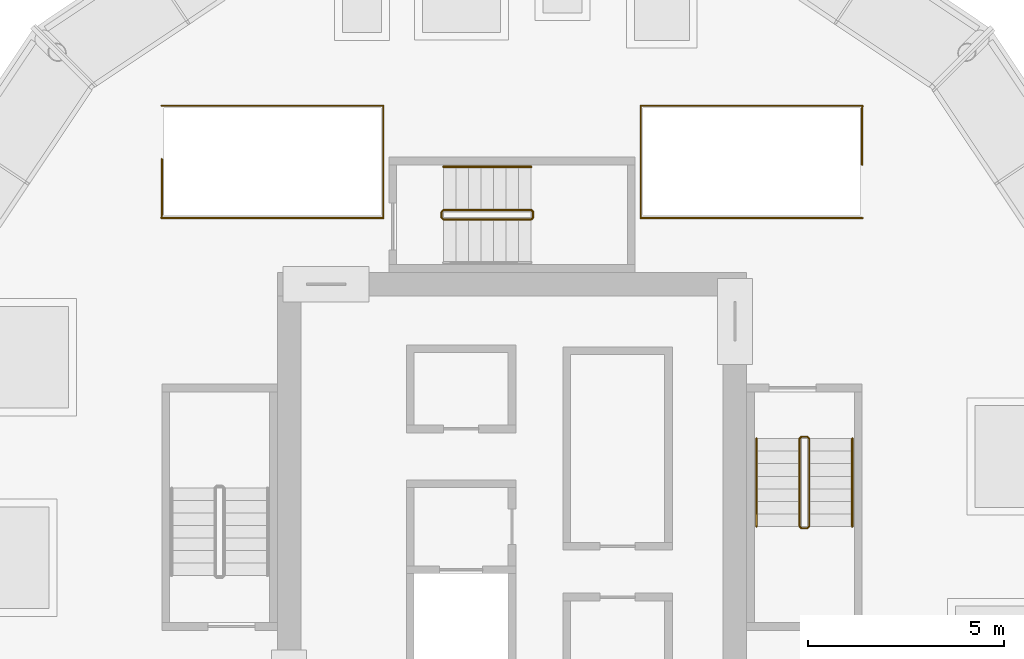
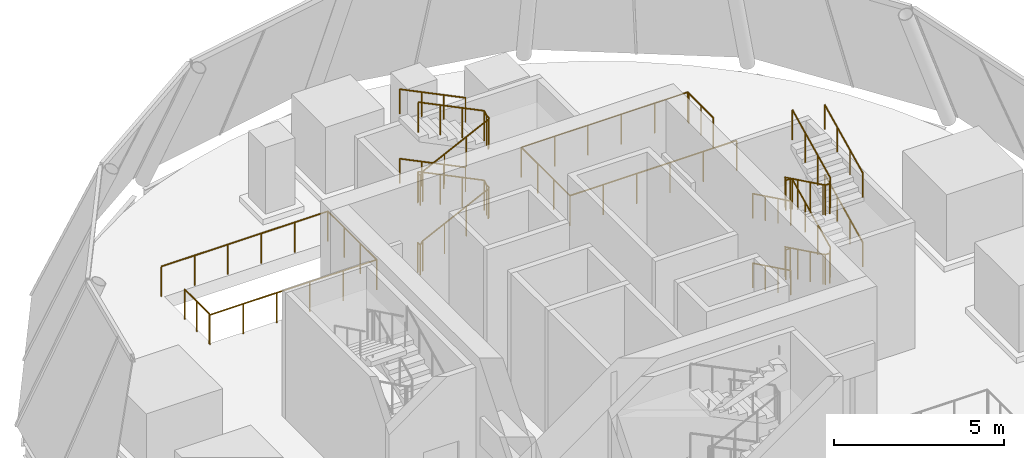
# One storey, part 7 of 8: 10 railings.
"""IFC4 building model written with IfcOpenShell, lengths in metres."""

from ifc_helpers import new_model, si_unit, direction, frame, origin, origin_2d, place, context, subcontext, project, spatial, circle, extrude, material, type_object, element, save


model = new_model("IFC4")

# Units and contexts
model_context = context("Model", 3, precision=1e-05, world=origin(), true_north=direction((0.0, 1.0)))
body_context = subcontext(model_context, "Body", "Model", "MODEL_VIEW")
ifc_project = project(units=[si_unit("LENGTHUNIT", "METRE"), si_unit("AREAUNIT", "SQUARE_METRE"), si_unit("VOLUMEUNIT", "CUBIC_METRE"), si_unit("PLANEANGLEUNIT", "RADIAN"), si_unit("MASSUNIT", "GRAM", prefix="KILO")], contexts=[model_context])

# Site, building, storey
site_placement = place(None, origin())
site = spatial("IfcSite", under=ifc_project, at=site_placement, CompositionType="ELEMENT")
building_placement = place(site_placement, origin())
building = spatial("IfcBuilding", under=site, at=building_placement, Name="Corvane Civic Tower", CompositionType="ELEMENT")
storey_placement = place(building_placement, frame((0.0, 0.0, 392.5)))
storey = spatial("IfcBuildingStorey", under=building, at=storey_placement, Name="L93", CompositionType="ELEMENT", Elevation=392.5)

# Railings
ifc_material_1 = material(Name="Steel ASTM A572 Gr 50", Category="steel")
railing_type_1 = type_object("IfcRailingType", Name="ST-GUARD-1100", PredefinedType="GUARDRAIL", material=ifc_material_1)
railing_1_placement = place(storey_placement, frame((8.949951171875, 8.75, 0.0)))
element("IfcRailing", 1, at=railing_1_placement, inside=storey, type_object=railing_type_1, Name="L93 ST1 top well guard 1", PredefinedType="GUARDRAIL", context=body_context, shape_type="SweptSolid", body=[
    extrude(circle(Radius=0.02392578125, at=origin_2d()), frame((0.0, 0.0, 1.076171875), z_axis=(0.0, 1.0, 0.0), x_axis=(-1.0, 0.0, 0.0)), (0.0, 0.0, 1.0), 1.449951171875),
    extrude(circle(Radius=0.02392578125, at=origin_2d()), frame((0.0, 1.449951171875, 1.076171875), z_axis=(0.164398987305, 0.986393923832, 0.0), x_axis=(-0.986393923832, 0.164398987305, 0.0)), (0.0, 0.0, 1.0), 0.060791015625),
    extrude(circle(Radius=0.02392578125, at=origin_2d()), frame((0.010009765625, 1.510009765625, 1.076171875), z_axis=(-1.0, 0.0, 0.0), x_axis=(0.0, -1.0, 0.0)), (0.0, 0.0, 1.0), 5.669921875),
    extrude(circle(Radius=0.02392578125, at=origin_2d()), frame((-5.659912109375, 1.510009765625, 1.076171875), z_axis=(0.0, -1.0, 0.0), x_axis=(1.0, 0.0, 0.0)), (0.0, 0.0, 1.0), 2.8701171875),
    extrude(circle(Radius=0.02392578125, at=origin_2d()), frame((-5.659912109375, -1.360107421875, 1.076171875), z_axis=(1.0, 0.0, 0.0), x_axis=(0.0, 1.0, 0.0)), (0.0, 0.0, 1.0), 5.669921875),
    extrude(circle(Radius=0.02099609375, at=origin_2d()), origin(), (0.0, 0.0, 1.0), 1.052001953125),
    extrude(circle(Radius=0.02099609375, at=origin_2d()), frame((0.0, 0.72509765625, 0.0)), (0.0, 0.0, 1.0), 1.052001953125),
    extrude(circle(Radius=0.02099609375, at=origin_2d()), frame((0.0, 1.449951171875, 0.0)), (0.0, 0.0, 1.0), 1.052001953125),
    extrude(circle(Radius=0.02099609375, at=origin_2d()), frame((0.010009765625, 1.510009765625, 0.0)), (0.0, 0.0, 1.0), 1.052001953125),
    extrude(circle(Radius=0.02099609375, at=origin_2d()), frame((-1.1240234375, 1.510009765625, 0.0)), (0.0, 0.0, 1.0), 1.052001953125),
    extrude(circle(Radius=0.02099609375, at=origin_2d()), frame((-2.258056640625, 1.510009765625, 0.0)), (0.0, 0.0, 1.0), 1.052001953125),
    extrude(circle(Radius=0.02099609375, at=origin_2d()), frame((-3.391845703125, 1.510009765625, 0.0)), (0.0, 0.0, 1.0), 1.052001953125),
    extrude(circle(Radius=0.02099609375, at=origin_2d()), frame((-4.52587890625, 1.510009765625, 0.0)), (0.0, 0.0, 1.0), 1.052001953125),
    extrude(circle(Radius=0.02099609375, at=origin_2d()), frame((-5.659912109375, 1.510009765625, 0.0)), (0.0, 0.0, 1.0), 1.052001953125),
    extrude(circle(Radius=0.02099609375, at=origin_2d()), frame((-5.659912109375, 0.55322265625, 0.0)), (0.0, 0.0, 1.0), 1.052001953125),
    extrude(circle(Radius=0.02099609375, at=origin_2d()), frame((-5.659912109375, -0.4033203125, 0.0)), (0.0, 0.0, 1.0), 1.052001953125),
    extrude(circle(Radius=0.02099609375, at=origin_2d()), frame((-5.659912109375, -1.360107421875, 0.0)), (0.0, 0.0, 1.0), 1.052001953125),
    extrude(circle(Radius=0.02099609375, at=origin_2d()), frame((-4.52587890625, -1.360107421875, 0.0)), (0.0, 0.0, 1.0), 1.052001953125),
    extrude(circle(Radius=0.02099609375, at=origin_2d()), frame((-3.391845703125, -1.360107421875, 0.0)), (0.0, 0.0, 1.0), 1.052001953125),
    extrude(circle(Radius=0.02099609375, at=origin_2d()), frame((-2.258056640625, -1.360107421875, 0.0)), (0.0, 0.0, 1.0), 1.052001953125),
    extrude(circle(Radius=0.02099609375, at=origin_2d()), frame((-1.1240234375, -1.360107421875, 0.0)), (0.0, 0.0, 1.0), 1.052001953125),
    extrude(circle(Radius=0.02099609375, at=origin_2d()), frame((0.010009765625, -1.360107421875, 0.0)), (0.0, 0.0, 1.0), 1.052001953125),
])
railing_2_placement = place(storey_placement, frame((-8.949951171875, 8.89990234375, 0.0)))
element("IfcRailing", 2, at=railing_2_placement, inside=storey, type_object=railing_type_1, Name="L93 ST4 top well guard 1", PredefinedType="GUARDRAIL", context=body_context, shape_type="SweptSolid", body=[
    extrude(circle(Radius=0.02392578125, at=origin_2d()), frame((0.0, 0.0, 1.076171875), z_axis=(0.0, -1.0, 0.0), x_axis=(1.0, 0.0, 0.0)), (0.0, 0.0, 1.0), 1.449951171875),
    extrude(circle(Radius=0.02392578125, at=origin_2d()), frame((0.0, -1.449951171875, 1.076171875), z_axis=(-0.164398987305, -0.986393923832, 0.0), x_axis=(0.986393923832, -0.164398987305, 0.0)), (0.0, 0.0, 1.0), 0.060791015625),
    extrude(circle(Radius=0.02392578125, at=origin_2d()), frame((-0.010009765625, -1.510009765625, 1.076171875), z_axis=(1.0, 0.0, 0.0), x_axis=(0.0, 1.0, 0.0)), (0.0, 0.0, 1.0), 5.669921875),
    extrude(circle(Radius=0.02392578125, at=origin_2d()), frame((5.659912109375, -1.510009765625, 1.076171875), z_axis=(0.0, 1.0, 0.0), x_axis=(-1.0, 0.0, 0.0)), (0.0, 0.0, 1.0), 2.8701171875),
    extrude(circle(Radius=0.02392578125, at=origin_2d()), frame((5.659912109375, 1.360107421875, 1.076171875), z_axis=(-1.0, 0.0, 0.0), x_axis=(0.0, -1.0, 0.0)), (0.0, 0.0, 1.0), 5.669921875),
    extrude(circle(Radius=0.02099609375, at=origin_2d()), origin(), (0.0, 0.0, 1.0), 1.052001953125),
    extrude(circle(Radius=0.02099609375, at=origin_2d()), frame((0.0, -0.72509765625, 0.0)), (0.0, 0.0, 1.0), 1.052001953125),
    extrude(circle(Radius=0.02099609375, at=origin_2d()), frame((0.0, -1.449951171875, 0.0)), (0.0, 0.0, 1.0), 1.052001953125),
    extrude(circle(Radius=0.02099609375, at=origin_2d()), frame((-0.010009765625, -1.510009765625, 0.0)), (0.0, 0.0, 1.0), 1.052001953125),
    extrude(circle(Radius=0.02099609375, at=origin_2d()), frame((1.1240234375, -1.510009765625, 0.0)), (0.0, 0.0, 1.0), 1.052001953125),
    extrude(circle(Radius=0.02099609375, at=origin_2d()), frame((2.258056640625, -1.510009765625, 0.0)), (0.0, 0.0, 1.0), 1.052001953125),
    extrude(circle(Radius=0.02099609375, at=origin_2d()), frame((3.391845703125, -1.510009765625, 0.0)), (0.0, 0.0, 1.0), 1.052001953125),
    extrude(circle(Radius=0.02099609375, at=origin_2d()), frame((4.52587890625, -1.510009765625, 0.0)), (0.0, 0.0, 1.0), 1.052001953125),
    extrude(circle(Radius=0.02099609375, at=origin_2d()), frame((5.659912109375, -1.510009765625, 0.0)), (0.0, 0.0, 1.0), 1.052001953125),
    extrude(circle(Radius=0.02099609375, at=origin_2d()), frame((5.659912109375, -0.55322265625, 0.0)), (0.0, 0.0, 1.0), 1.052001953125),
    extrude(circle(Radius=0.02099609375, at=origin_2d()), frame((5.659912109375, 0.4033203125, 0.0)), (0.0, 0.0, 1.0), 1.052001953125),
    extrude(circle(Radius=0.02099609375, at=origin_2d()), frame((5.659912109375, 1.360107421875, 0.0)), (0.0, 0.0, 1.0), 1.052001953125),
    extrude(circle(Radius=0.02099609375, at=origin_2d()), frame((4.52587890625, 1.360107421875, 0.0)), (0.0, 0.0, 1.0), 1.052001953125),
    extrude(circle(Radius=0.02099609375, at=origin_2d()), frame((3.391845703125, 1.360107421875, 0.0)), (0.0, 0.0, 1.0), 1.052001953125),
    extrude(circle(Radius=0.02099609375, at=origin_2d()), frame((2.258056640625, 1.360107421875, 0.0)), (0.0, 0.0, 1.0), 1.052001953125),
    extrude(circle(Radius=0.02099609375, at=origin_2d()), frame((1.1240234375, 1.360107421875, 0.0)), (0.0, 0.0, 1.0), 1.052001953125),
    extrude(circle(Radius=0.02099609375, at=origin_2d()), frame((-0.010009765625, 1.360107421875, 0.0)), (0.0, 0.0, 1.0), 1.052001953125),
])
railing_3_placement = place(storey_placement, frame((7.550048828125, 1.800048828125, 0.0)))
element("IfcRailing", 3, at=railing_3_placement, inside=storey, type_object=railing_type_1, Name="L93 CS1 stair guard 1", PredefinedType="GUARDRAIL", context=body_context, shape_type="SweptSolid", body=[
    extrude(circle(Radius=0.02392578125, at=origin_2d()), frame((0.0, 0.0, 1.076171875), z_axis=(-1.0, 0.0, 0.0), x_axis=(0.0, -1.0, 0.0)), (0.0, 0.0, 1.0), 0.150146484375),
    extrude(circle(Radius=0.02392578125, at=origin_2d()), frame((-0.150146484375, 0.0, 1.076171875), z_axis=(-0.290469530425, -0.291893400672, 0.911276958196), x_axis=(0.708833529934, -0.705375805398, 0.0)), (0.0, 0.0, 1.0), 0.17138671875),
    extrude(circle(Radius=0.02392578125, at=origin_2d()), frame((-0.199951171875, -0.050048828125, 1.232421875), z_axis=(0.0, -0.898598948553, 0.438770930737), x_axis=(1.0, 0.0, 0.0)), (0.0, 0.0, 1.0), 2.49267578125),
    extrude(circle(Radius=0.02392578125, at=origin_2d()), frame((-0.199951171875, -2.2900390625, 2.326171875), z_axis=(0.705375805398, -0.708833529934, 0.0), x_axis=(0.708833529934, 0.705375805398, 0.0)), (0.0, 0.0, 1.0), 0.070556640625),
    extrude(circle(Radius=0.02392578125, at=origin_2d()), frame((-0.150146484375, -2.340087890625, 2.326171875), z_axis=(1.0, 0.0, 0.0), x_axis=(0.0, 1.0, 0.0)), (0.0, 0.0, 1.0), 0.150146484375),
    extrude(circle(Radius=0.02392578125, at=origin_2d()), frame((0.0, -2.340087890625, 2.326171875), z_axis=(0.29177245553, 0.29177245553, 0.91089937336), x_axis=(-0.707106781187, 0.707106781187, 0.0)), (0.0, 0.0, 1.0), 0.171630859375),
    extrude(circle(Radius=0.02392578125, at=origin_2d()), frame((0.050048828125, -2.2900390625, 2.482421875), z_axis=(0.0, 0.898598948553, 0.438770930737), x_axis=(-1.0, 0.0, 0.0)), (0.0, 0.0, 1.0), 2.49267578125),
    extrude(circle(Radius=0.02392578125, at=origin_2d()), frame((0.050048828125, -0.050048828125, 3.576171875), z_axis=(-0.707106781187, 0.707106781187, 0.0), x_axis=(-0.707106781187, -0.707106781187, 0.0)), (0.0, 0.0, 1.0), 0.07080078125),
    extrude(circle(Radius=0.02392578125, at=origin_2d()), frame((0.0, 0.0, 3.576171875), z_axis=(-1.0, 0.0, 0.0), x_axis=(0.0, -1.0, 0.0)), (0.0, 0.0, 1.0), 0.150146484375),
    extrude(circle(Radius=0.02392578125, at=origin_2d()), frame((-0.150146484375, 0.0, 3.576171875), z_axis=(-0.290469530425, -0.291893400672, 0.911276958196), x_axis=(0.708833529934, -0.705375805398, 0.0)), (0.0, 0.0, 1.0), 0.17138671875),
    extrude(circle(Radius=0.02392578125, at=origin_2d()), frame((-0.199951171875, -0.050048828125, 3.732421875), z_axis=(0.0, -0.898598948553, 0.438770930737), x_axis=(1.0, 0.0, 0.0)), (0.0, 0.0, 1.0), 2.49267578125),
    extrude(circle(Radius=0.02392578125, at=origin_2d()), frame((-0.199951171875, -2.2900390625, 4.826171875), z_axis=(0.705375805398, -0.708833529934, 0.0), x_axis=(0.708833529934, 0.705375805398, 0.0)), (0.0, 0.0, 1.0), 0.070556640625),
    extrude(circle(Radius=0.02392578125, at=origin_2d()), frame((-0.150146484375, -2.340087890625, 4.826171875), z_axis=(1.0, 0.0, 0.0), x_axis=(0.0, 1.0, 0.0)), (0.0, 0.0, 1.0), 0.150146484375),
    extrude(circle(Radius=0.02392578125, at=origin_2d()), frame((0.0, -2.340087890625, 4.826171875), z_axis=(0.29177245553, 0.29177245553, 0.91089937336), x_axis=(-0.707106781187, 0.707106781187, 0.0)), (0.0, 0.0, 1.0), 0.171630859375),
    extrude(circle(Radius=0.02392578125, at=origin_2d()), frame((0.050048828125, -2.2900390625, 4.982421875), z_axis=(0.0, 0.898598948553, 0.438770930737), x_axis=(-1.0, 0.0, 0.0)), (0.0, 0.0, 1.0), 2.49267578125),
    extrude(circle(Radius=0.02099609375, at=origin_2d()), origin(), (0.0, 0.0, 1.0), 1.052001953125),
    extrude(circle(Radius=0.02099609375, at=origin_2d()), frame((-0.150146484375, 0.0, 0.0)), (0.0, 0.0, 1.0), 1.052001953125),
    extrude(circle(Radius=0.02099609375, at=origin_2d()), frame((-0.199951171875, -0.050048828125, 0.15625)), (0.0, 0.0, 1.0), 1.052001953125),
    extrude(circle(Radius=0.02099609375, at=origin_2d()), frame((-0.199951171875, -0.796630859375, 0.520751953125)), (0.0, 0.0, 1.0), 1.052001953125),
    extrude(circle(Radius=0.02099609375, at=origin_2d()), frame((-0.199951171875, -1.54345703125, 0.885498046875)), (0.0, 0.0, 1.0), 1.052001953125),
    extrude(circle(Radius=0.02099609375, at=origin_2d()), frame((-0.199951171875, -2.2900390625, 1.25)), (0.0, 0.0, 1.0), 1.052001953125),
    extrude(circle(Radius=0.02099609375, at=origin_2d()), frame((-0.150146484375, -2.340087890625, 1.25)), (0.0, 0.0, 1.0), 1.052001953125),
    extrude(circle(Radius=0.02099609375, at=origin_2d()), frame((0.0, -2.340087890625, 1.25)), (0.0, 0.0, 1.0), 1.052001953125),
    extrude(circle(Radius=0.02099609375, at=origin_2d()), frame((0.050048828125, -2.2900390625, 1.40625)), (0.0, 0.0, 1.0), 1.052001953125),
    extrude(circle(Radius=0.02099609375, at=origin_2d()), frame((0.050048828125, -1.54345703125, 1.770751953125)), (0.0, 0.0, 1.0), 1.052001953125),
    extrude(circle(Radius=0.02099609375, at=origin_2d()), frame((0.050048828125, -0.796630859375, 2.135498046875)), (0.0, 0.0, 1.0), 1.052001953125),
    extrude(circle(Radius=0.02099609375, at=origin_2d()), frame((0.050048828125, -0.050048828125, 2.5)), (0.0, 0.0, 1.0), 1.052001953125),
    extrude(circle(Radius=0.02099609375, at=origin_2d()), frame((0.0, 0.0, 2.5)), (0.0, 0.0, 1.0), 1.052001953125),
    extrude(circle(Radius=0.02099609375, at=origin_2d()), frame((-0.150146484375, 0.0, 2.5)), (0.0, 0.0, 1.0), 1.052001953125),
    extrude(circle(Radius=0.02099609375, at=origin_2d()), frame((-0.199951171875, -0.050048828125, 2.65625)), (0.0, 0.0, 1.0), 1.052001953125),
    extrude(circle(Radius=0.02099609375, at=origin_2d()), frame((-0.199951171875, -0.796630859375, 3.020751953125)), (0.0, 0.0, 1.0), 1.052001953125),
    extrude(circle(Radius=0.02099609375, at=origin_2d()), frame((-0.199951171875, -1.54345703125, 3.385498046875)), (0.0, 0.0, 1.0), 1.052001953125),
    extrude(circle(Radius=0.02099609375, at=origin_2d()), frame((-0.199951171875, -2.2900390625, 3.75)), (0.0, 0.0, 1.0), 1.052001953125),
    extrude(circle(Radius=0.02099609375, at=origin_2d()), frame((-0.150146484375, -2.340087890625, 3.75)), (0.0, 0.0, 1.0), 1.052001953125),
    extrude(circle(Radius=0.02099609375, at=origin_2d()), frame((0.0, -2.340087890625, 3.75)), (0.0, 0.0, 1.0), 1.052001953125),
    extrude(circle(Radius=0.02099609375, at=origin_2d()), frame((0.050048828125, -2.2900390625, 3.90625)), (0.0, 0.0, 1.0), 1.052001953125),
    extrude(circle(Radius=0.02099609375, at=origin_2d()), frame((0.050048828125, -1.54345703125, 4.270751953125)), (0.0, 0.0, 1.0), 1.052001953125),
    extrude(circle(Radius=0.02099609375, at=origin_2d()), frame((0.050048828125, -0.796630859375, 4.635498046875)), (0.0, 0.0, 1.0), 1.052001953125),
    extrude(circle(Radius=0.02099609375, at=origin_2d()), frame((0.050048828125, -0.050048828125, 5.0)), (0.0, 0.0, 1.0), 1.052001953125),
])
railing_4_placement = place(storey_placement, frame((-1.800048828125, 7.550048828125, 0.0)))
element("IfcRailing", 4, at=railing_4_placement, inside=storey, type_object=railing_type_1, Name="L93 CS2 stair guard 1", PredefinedType="GUARDRAIL", context=body_context, shape_type="SweptSolid", body=[
    extrude(circle(Radius=0.02392578125, at=origin_2d()), frame((0.0, 0.0, 1.076171875), z_axis=(0.0, -1.0, 0.0), x_axis=(1.0, 0.0, 0.0)), (0.0, 0.0, 1.0), 0.150146484375),
    extrude(circle(Radius=0.02392578125, at=origin_2d()), frame((0.0, -0.150146484375, 1.076171875), z_axis=(0.291893400672, -0.290469530425, 0.911276958196), x_axis=(0.705375805398, 0.708833529934, 0.0)), (0.0, 0.0, 1.0), 0.17138671875),
    extrude(circle(Radius=0.02392578125, at=origin_2d()), frame((0.050048828125, -0.199951171875, 1.232421875), z_axis=(0.898598948553, 0.0, 0.438770930737), x_axis=(0.0, 1.0, 0.0)), (0.0, 0.0, 1.0), 2.49267578125),
    extrude(circle(Radius=0.02392578125, at=origin_2d()), frame((2.2900390625, -0.199951171875, 2.326171875), z_axis=(0.708833529934, 0.705375805398, 0.0), x_axis=(-0.705375805398, 0.708833529934, 0.0)), (0.0, 0.0, 1.0), 0.070556640625),
    extrude(circle(Radius=0.02392578125, at=origin_2d()), frame((2.340087890625, -0.150146484375, 2.326171875), z_axis=(0.0, 1.0, 0.0), x_axis=(-1.0, 0.0, 0.0)), (0.0, 0.0, 1.0), 0.150146484375),
    extrude(circle(Radius=0.02392578125, at=origin_2d()), frame((2.340087890625, 0.0, 2.326171875), z_axis=(-0.29177245553, 0.29177245553, 0.91089937336), x_axis=(-0.707106781187, -0.707106781187, 0.0)), (0.0, 0.0, 1.0), 0.171630859375),
    extrude(circle(Radius=0.02392578125, at=origin_2d()), frame((2.2900390625, 0.050048828125, 2.482421875), z_axis=(-0.898598948553, 0.0, 0.438770930737), x_axis=(0.0, -1.0, 0.0)), (0.0, 0.0, 1.0), 2.49267578125),
    extrude(circle(Radius=0.02392578125, at=origin_2d()), frame((0.050048828125, 0.050048828125, 3.576171875), z_axis=(-0.707106781187, -0.707106781187, 0.0), x_axis=(0.707106781187, -0.707106781187, 0.0)), (0.0, 0.0, 1.0), 0.07080078125),
    extrude(circle(Radius=0.02392578125, at=origin_2d()), frame((0.0, 0.0, 3.576171875), z_axis=(0.0, -1.0, 0.0), x_axis=(1.0, 0.0, 0.0)), (0.0, 0.0, 1.0), 0.150146484375),
    extrude(circle(Radius=0.02392578125, at=origin_2d()), frame((0.0, -0.150146484375, 3.576171875), z_axis=(0.291893400672, -0.290469530425, 0.911276958196), x_axis=(0.705375805398, 0.708833529934, 0.0)), (0.0, 0.0, 1.0), 0.17138671875),
    extrude(circle(Radius=0.02392578125, at=origin_2d()), frame((0.050048828125, -0.199951171875, 3.732421875), z_axis=(0.898598948553, 0.0, 0.438770930737), x_axis=(0.0, 1.0, 0.0)), (0.0, 0.0, 1.0), 2.49267578125),
    extrude(circle(Radius=0.02392578125, at=origin_2d()), frame((2.2900390625, -0.199951171875, 4.826171875), z_axis=(0.708833529934, 0.705375805398, 0.0), x_axis=(-0.705375805398, 0.708833529934, 0.0)), (0.0, 0.0, 1.0), 0.070556640625),
    extrude(circle(Radius=0.02392578125, at=origin_2d()), frame((2.340087890625, -0.150146484375, 4.826171875), z_axis=(0.0, 1.0, 0.0), x_axis=(-1.0, 0.0, 0.0)), (0.0, 0.0, 1.0), 0.150146484375),
    extrude(circle(Radius=0.02392578125, at=origin_2d()), frame((2.340087890625, 0.0, 4.826171875), z_axis=(-0.29177245553, 0.29177245553, 0.91089937336), x_axis=(-0.707106781187, -0.707106781187, 0.0)), (0.0, 0.0, 1.0), 0.171630859375),
    extrude(circle(Radius=0.02392578125, at=origin_2d()), frame((2.2900390625, 0.050048828125, 4.982421875), z_axis=(-0.898598948553, 0.0, 0.438770930737), x_axis=(0.0, -1.0, 0.0)), (0.0, 0.0, 1.0), 2.49267578125),
    extrude(circle(Radius=0.02099609375, at=origin_2d()), origin(), (0.0, 0.0, 1.0), 1.052001953125),
    extrude(circle(Radius=0.02099609375, at=origin_2d()), frame((0.0, -0.150146484375, 0.0)), (0.0, 0.0, 1.0), 1.052001953125),
    extrude(circle(Radius=0.02099609375, at=origin_2d()), frame((0.050048828125, -0.199951171875, 0.15625)), (0.0, 0.0, 1.0), 1.052001953125),
    extrude(circle(Radius=0.02099609375, at=origin_2d()), frame((0.796630859375, -0.199951171875, 0.520751953125)), (0.0, 0.0, 1.0), 1.052001953125),
    extrude(circle(Radius=0.02099609375, at=origin_2d()), frame((1.54345703125, -0.199951171875, 0.885498046875)), (0.0, 0.0, 1.0), 1.052001953125),
    extrude(circle(Radius=0.02099609375, at=origin_2d()), frame((2.2900390625, -0.199951171875, 1.25)), (0.0, 0.0, 1.0), 1.052001953125),
    extrude(circle(Radius=0.02099609375, at=origin_2d()), frame((2.340087890625, -0.150146484375, 1.25)), (0.0, 0.0, 1.0), 1.052001953125),
    extrude(circle(Radius=0.02099609375, at=origin_2d()), frame((2.340087890625, 0.0, 1.25)), (0.0, 0.0, 1.0), 1.052001953125),
    extrude(circle(Radius=0.02099609375, at=origin_2d()), frame((2.2900390625, 0.050048828125, 1.40625)), (0.0, 0.0, 1.0), 1.052001953125),
    extrude(circle(Radius=0.02099609375, at=origin_2d()), frame((1.54345703125, 0.050048828125, 1.770751953125)), (0.0, 0.0, 1.0), 1.052001953125),
    extrude(circle(Radius=0.02099609375, at=origin_2d()), frame((0.796630859375, 0.050048828125, 2.135498046875)), (0.0, 0.0, 1.0), 1.052001953125),
    extrude(circle(Radius=0.02099609375, at=origin_2d()), frame((0.050048828125, 0.050048828125, 2.5)), (0.0, 0.0, 1.0), 1.052001953125),
    extrude(circle(Radius=0.02099609375, at=origin_2d()), frame((0.0, 0.0, 2.5)), (0.0, 0.0, 1.0), 1.052001953125),
    extrude(circle(Radius=0.02099609375, at=origin_2d()), frame((0.0, -0.150146484375, 2.5)), (0.0, 0.0, 1.0), 1.052001953125),
    extrude(circle(Radius=0.02099609375, at=origin_2d()), frame((0.050048828125, -0.199951171875, 2.65625)), (0.0, 0.0, 1.0), 1.052001953125),
    extrude(circle(Radius=0.02099609375, at=origin_2d()), frame((0.796630859375, -0.199951171875, 3.020751953125)), (0.0, 0.0, 1.0), 1.052001953125),
    extrude(circle(Radius=0.02099609375, at=origin_2d()), frame((1.54345703125, -0.199951171875, 3.385498046875)), (0.0, 0.0, 1.0), 1.052001953125),
    extrude(circle(Radius=0.02099609375, at=origin_2d()), frame((2.2900390625, -0.199951171875, 3.75)), (0.0, 0.0, 1.0), 1.052001953125),
    extrude(circle(Radius=0.02099609375, at=origin_2d()), frame((2.340087890625, -0.150146484375, 3.75)), (0.0, 0.0, 1.0), 1.052001953125),
    extrude(circle(Radius=0.02099609375, at=origin_2d()), frame((2.340087890625, 0.0, 3.75)), (0.0, 0.0, 1.0), 1.052001953125),
    extrude(circle(Radius=0.02099609375, at=origin_2d()), frame((2.2900390625, 0.050048828125, 3.90625)), (0.0, 0.0, 1.0), 1.052001953125),
    extrude(circle(Radius=0.02099609375, at=origin_2d()), frame((1.54345703125, 0.050048828125, 4.270751953125)), (0.0, 0.0, 1.0), 1.052001953125),
    extrude(circle(Radius=0.02099609375, at=origin_2d()), frame((0.796630859375, 0.050048828125, 4.635498046875)), (0.0, 0.0, 1.0), 1.052001953125),
    extrude(circle(Radius=0.02099609375, at=origin_2d()), frame((0.050048828125, 0.050048828125, 5.0)), (0.0, 0.0, 1.0), 1.052001953125),
])
ifc_material_2 = material(Name="Steel ASTM A572 Gr 50", Category="steel")
railing_type_2 = type_object("IfcRailingType", Name="ST-HANDRAIL-900", PredefinedType="HANDRAIL", material=ifc_material_2)
railing_5_placement = place(storey_placement, frame((6.25, 1.75, 0.15625)))
element("IfcRailing", 5, at=railing_5_placement, inside=storey, type_object=railing_type_2, Name="L93 CS1 stair handrail 1", PredefinedType="HANDRAIL", context=body_context, shape_type="SweptSolid", body=[
    extrude(circle(Radius=0.02392578125, at=origin_2d()), frame((0.0, 0.0, 0.8759765625), z_axis=(0.0, -0.898598948553, 0.438770930737), x_axis=(1.0, 0.0, 0.0)), (0.0, 0.0, 1.0), 2.49267578125),
    extrude(circle(Radius=0.02099609375, at=origin_2d()), origin(), (0.0, 0.0, 1.0), 0.851806640625),
    extrude(circle(Radius=0.02099609375, at=origin_2d()), frame((0.0, -0.74658203125, 0.364501953125)), (0.0, 0.0, 1.0), 0.851806640625),
    extrude(circle(Radius=0.02099609375, at=origin_2d()), frame((0.0, -1.493408203125, 0.729248046875)), (0.0, 0.0, 1.0), 0.851806640625),
    extrude(circle(Radius=0.02099609375, at=origin_2d()), frame((0.0, -2.239990234375, 1.09375)), (0.0, 0.0, 1.0), 0.851806640625),
])
railing_6_placement = place(storey_placement, frame((8.699951171875, -0.489990234375, 1.40625)))
element("IfcRailing", 6, at=railing_6_placement, inside=storey, type_object=railing_type_2, Name="L93 CS1 stair handrail 2", PredefinedType="HANDRAIL", context=body_context, shape_type="SweptSolid", body=[
    extrude(circle(Radius=0.02392578125, at=origin_2d()), frame((0.0, 0.0, 0.8759765625), z_axis=(0.0, 0.898598948553, 0.438770930737), x_axis=(-1.0, 0.0, 0.0)), (0.0, 0.0, 1.0), 2.49267578125),
    extrude(circle(Radius=0.02099609375, at=origin_2d()), origin(), (0.0, 0.0, 1.0), 0.851806640625),
    extrude(circle(Radius=0.02099609375, at=origin_2d()), frame((0.0, 0.74658203125, 0.364501953125)), (0.0, 0.0, 1.0), 0.851806640625),
    extrude(circle(Radius=0.02099609375, at=origin_2d()), frame((0.0, 1.493408203125, 0.729248046875)), (0.0, 0.0, 1.0), 0.851806640625),
    extrude(circle(Radius=0.02099609375, at=origin_2d()), frame((0.0, 2.239990234375, 1.09375)), (0.0, 0.0, 1.0), 0.851806640625),
])
railing_7_placement = place(storey_placement, frame((6.25, 1.75, 2.65625)))
element("IfcRailing", 7, at=railing_7_placement, inside=storey, type_object=railing_type_2, Name="L93 CS1 stair handrail 3", PredefinedType="HANDRAIL", context=body_context, shape_type="SweptSolid", body=[
    extrude(circle(Radius=0.02392578125, at=origin_2d()), frame((0.0, 0.0, 0.8759765625), z_axis=(0.0, -0.898598948553, 0.438770930737), x_axis=(1.0, 0.0, 0.0)), (0.0, 0.0, 1.0), 2.49267578125),
    extrude(circle(Radius=0.02099609375, at=origin_2d()), origin(), (0.0, 0.0, 1.0), 0.851806640625),
    extrude(circle(Radius=0.02099609375, at=origin_2d()), frame((0.0, -0.74658203125, 0.364501953125)), (0.0, 0.0, 1.0), 0.851806640625),
    extrude(circle(Radius=0.02099609375, at=origin_2d()), frame((0.0, -1.493408203125, 0.729248046875)), (0.0, 0.0, 1.0), 0.851806640625),
    extrude(circle(Radius=0.02099609375, at=origin_2d()), frame((0.0, -2.239990234375, 1.09375)), (0.0, 0.0, 1.0), 0.851806640625),
])
railing_8_placement = place(storey_placement, frame((8.699951171875, -0.489990234375, 3.90625)))
element("IfcRailing", 8, at=railing_8_placement, inside=storey, type_object=railing_type_2, Name="L93 CS1 stair handrail 4", PredefinedType="HANDRAIL", context=body_context, shape_type="SweptSolid", body=[
    extrude(circle(Radius=0.02392578125, at=origin_2d()), frame((0.0, 0.0, 0.8759765625), z_axis=(0.0, 0.898598948553, 0.438770930737), x_axis=(-1.0, 0.0, 0.0)), (0.0, 0.0, 1.0), 2.49267578125),
    extrude(circle(Radius=0.02099609375, at=origin_2d()), origin(), (0.0, 0.0, 1.0), 0.851806640625),
    extrude(circle(Radius=0.02099609375, at=origin_2d()), frame((0.0, 0.74658203125, 0.364501953125)), (0.0, 0.0, 1.0), 0.851806640625),
    extrude(circle(Radius=0.02099609375, at=origin_2d()), frame((0.0, 1.493408203125, 0.729248046875)), (0.0, 0.0, 1.0), 0.851806640625),
    extrude(circle(Radius=0.02099609375, at=origin_2d()), frame((0.0, 2.239990234375, 1.09375)), (0.0, 0.0, 1.0), 0.851806640625),
])
for number, where, name in (
    (9, (0.489990234375, 8.699951171875, 1.40625), "L93 CS2 stair handrail 2"),
    (10, (0.489990234375, 8.699951171875, 3.90625), "L93 CS2 stair handrail 4"),
):
    element("IfcRailing", number, at=place(storey_placement, frame(where)), inside=storey, type_object=railing_type_2, Name=name, PredefinedType="HANDRAIL", context=body_context, shape_type="SweptSolid", body=[
        extrude(circle(Radius=0.02392578125, at=origin_2d()), frame((0.0, 0.0, 0.8759765625), z_axis=(-0.898598948553, 0.0, 0.438770930737), x_axis=(0.0, -1.0, 0.0)), (0.0, 0.0, 1.0), 2.49267578125),
        extrude(circle(Radius=0.02099609375, at=origin_2d()), origin(), (0.0, 0.0, 1.0), 0.851806640625),
        extrude(circle(Radius=0.02099609375, at=origin_2d()), frame((-0.74658203125, 0.0, 0.364501953125)), (0.0, 0.0, 1.0), 0.851806640625),
        extrude(circle(Radius=0.02099609375, at=origin_2d()), frame((-1.493408203125, 0.0, 0.729248046875)), (0.0, 0.0, 1.0), 0.851806640625),
        extrude(circle(Radius=0.02099609375, at=origin_2d()), frame((-2.239990234375, 0.0, 1.09375)), (0.0, 0.0, 1.0), 0.851806640625),
    ])

save(model, "model.ifc")
